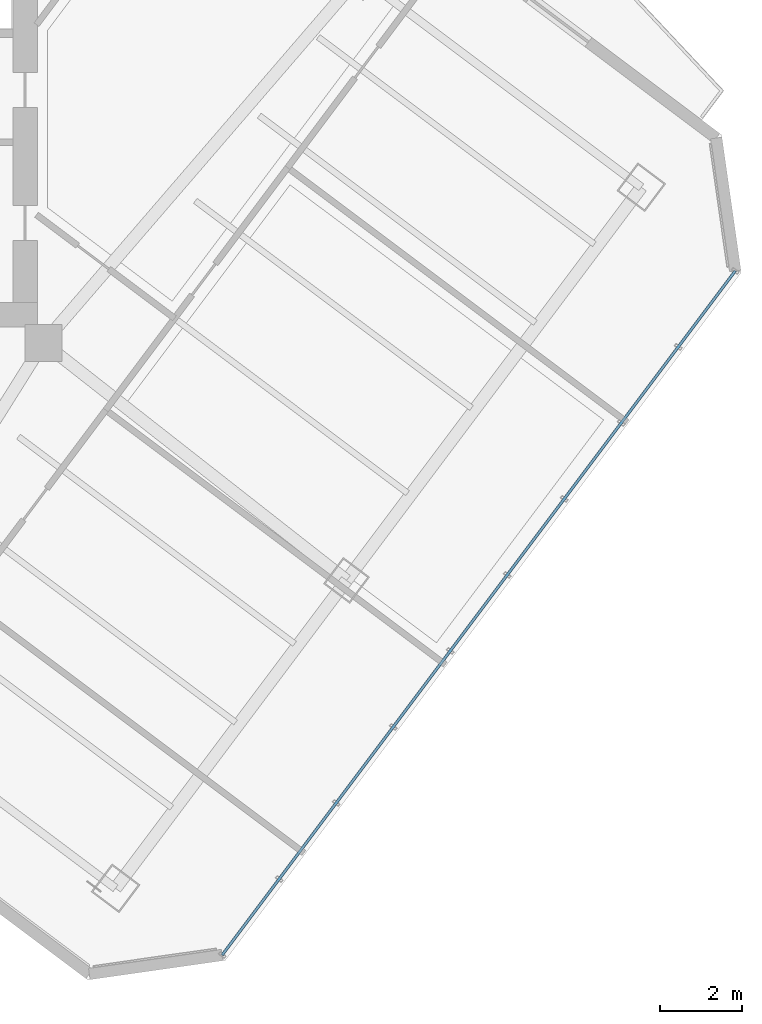
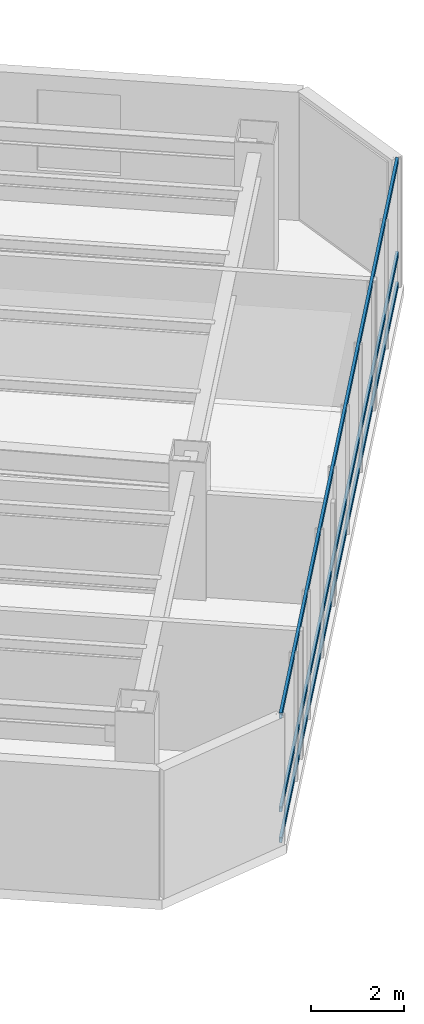
# One storey, part 12 of 27: 3 members, 1 element without a shape of its own.
"""IFC4 building model written with IfcOpenShell, lengths in metres."""

from ifc_helpers import new_model, si_unit, direction, frame, origin, origin_2d, place, context, subcontext, project, spatial, hollow_rectangle, extrude, material, layer, layer_set, material_profile, profile_set, type_object, element, aggregate, save


model = new_model("IFC4")

# Units and contexts
model_context = context("Model", 3, precision=1e-05, world=origin(), true_north=direction((0.0, 1.0)))
body_context = subcontext(model_context, "Body", "Model", "MODEL_VIEW")
ifc_project = project(units=[si_unit("LENGTHUNIT", "METRE"), si_unit("AREAUNIT", "SQUARE_METRE"), si_unit("VOLUMEUNIT", "CUBIC_METRE"), si_unit("PLANEANGLEUNIT", "RADIAN"), si_unit("MASSUNIT", "GRAM", prefix="KILO")], contexts=[model_context])

# Site, building, storey
site_placement = place(None, origin())
site = spatial("IfcSite", under=ifc_project, at=site_placement, CompositionType="ELEMENT")
building_placement = place(site_placement, origin())
building = spatial("IfcBuilding", under=site, at=building_placement, Name="Hatsunagi Terrace Concourse", CompositionType="ELEMENT")
storey_placement = place(building_placement, frame((0.0, 0.0, 142.050048828125)))
storey = spatial("IfcBuildingStorey", under=building, at=storey_placement, Name="L37", CompositionType="ELEMENT", Elevation=142.050048828125)

# Curtain wall, members
ifc_material_1 = material(Name="Anodised Aluminium Alloy 6063-T5", Category="aluminium")
ifc_layer = layer(ifc_material_1, 0.199951171875)
ifc_layer_set = layer_set([ifc_layer], Name="OfficeZone1_CW03")
curtain_wall_type = type_object("IfcCurtainWallType", Name="OfficeZone1_CW03", PredefinedType="NOTDEFINED", material=ifc_layer_set)
curtain_wall_placement = place(storey_placement, origin())
curtain_wall = element("IfcCurtainWall", 1, at=curtain_wall_placement, inside=storey, type_object=curtain_wall_type, Name="Unitised Curtain Wall CW-03 CW-L37-03", PredefinedType="NOTDEFINED")
ifc_material_2 = material(Name="Anodised Aluminium Alloy 6063-T5", Category="aluminium")
ifc_material_profile = material_profile(ifc_material_2, hollow_rectangle(XDim=0.06494140625, YDim=0.139892578125, WallThickness=0.00390625, at=origin_2d()), Name="ALU-TRN-140x65x4")
ifc_profile_set = profile_set([ifc_material_profile], Name="Anodised Aluminium Alloy 6063-T5")
member_type = type_object("IfcMemberType", Name="CurtainWallTransom_140x65", PredefinedType="USERDEFINED", material=ifc_profile_set)
member_1_placement = place(storey_placement, frame((60.693115234375, 25.9580078125, 0.050048828125), z_axis=(-0.599970072971, -0.800022444397, 0.0), x_axis=(0.800022444397, -0.599970072971, 0.0)))
member_1 = element("IfcMember", 2, at=member_1_placement, type_object=member_type, Name="Curtain Wall Transom TRN-02", ObjectType="TRANSOM", PredefinedType="USERDEFINED", context=body_context, shape_type="SweptSolid", body=[
    extrude(hollow_rectangle(XDim=0.06494140625, YDim=0.139892578125, WallThickness=0.00390625, at=origin_2d()), origin(), (0.0, 0.0, 1.0), 20.884521484375),
])
member_2_placement = place(storey_placement, frame((60.693115234375, 25.9580078125, 0.849853515625), z_axis=(-0.599970072971, -0.800022444397, 0.0), x_axis=(0.800022444397, -0.599970072971, 0.0)))
member_2 = element("IfcMember", 3, at=member_2_placement, type_object=member_type, Name="Curtain Wall Transom TRN-02", ObjectType="TRANSOM", PredefinedType="USERDEFINED", context=body_context, shape_type="SweptSolid", body=[
    extrude(hollow_rectangle(XDim=0.06494140625, YDim=0.139892578125, WallThickness=0.00390625, at=origin_2d()), origin(), (0.0, 0.0, 1.0), 20.884521484375),
])
member_3_placement = place(storey_placement, frame((60.693115234375, 25.9580078125, 3.300048828125), z_axis=(-0.599970072971, -0.800022444397, 0.0), x_axis=(0.800022444397, -0.599970072971, 0.0)))
member_3 = element("IfcMember", 4, at=member_3_placement, type_object=member_type, Name="Curtain Wall Transom TRN-02", ObjectType="TRANSOM", PredefinedType="USERDEFINED", context=body_context, shape_type="SweptSolid", body=[
    extrude(hollow_rectangle(XDim=0.06494140625, YDim=0.139892578125, WallThickness=0.00390625, at=origin_2d()), origin(), (0.0, 0.0, 1.0), 20.884521484375),
])
aggregate(curtain_wall, [member_1, member_2, member_3])

save(model, "model.ifc")
